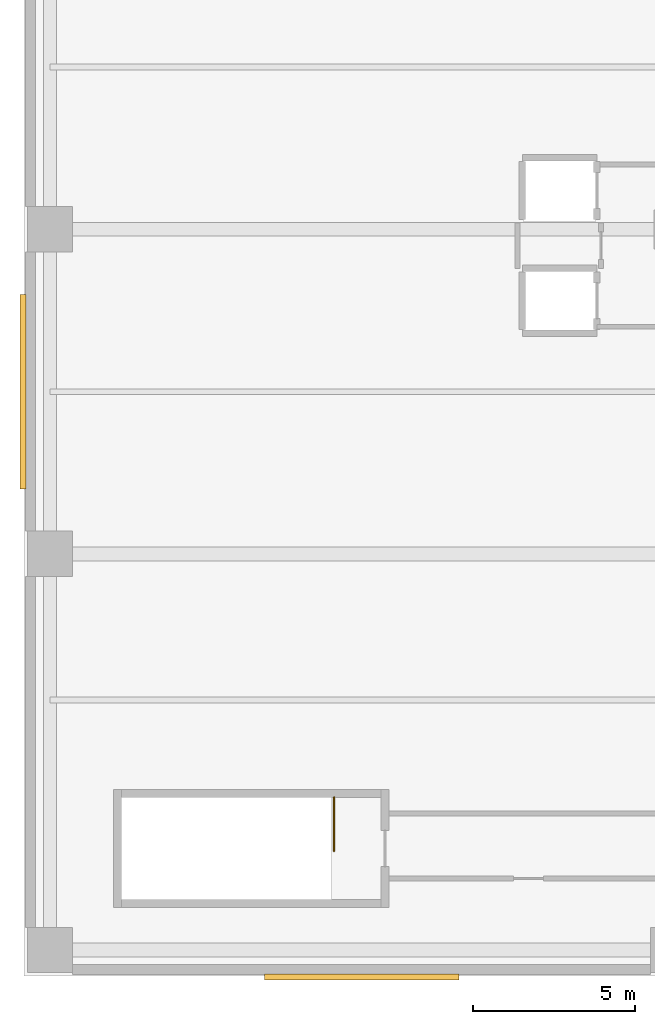
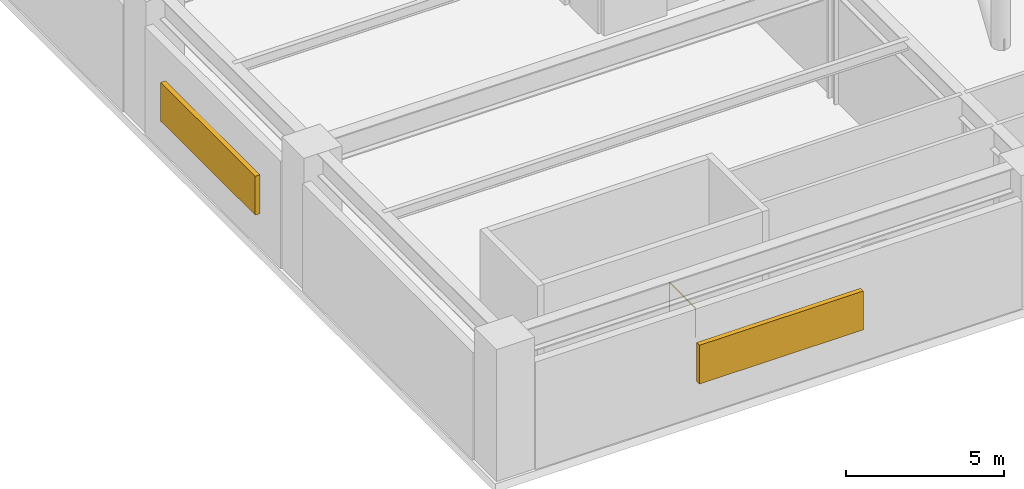
# One storey, part 10 of 12: 2 shading devices, 1 railing.
"""IFC4 building model written with IfcOpenShell, lengths in metres."""

from ifc_helpers import new_model, si_unit, direction, frame, origin, origin_2d, place, context, subcontext, project, spatial, rectangle, circle, extrude, material, layer, layer_set, type_object, element, save


model = new_model("IFC4")

# Units and contexts
model_context = context("Model", 3, precision=1e-05, world=origin(), true_north=direction((0.0, 1.0)))
body_context = subcontext(model_context, "Body", "Model", "MODEL_VIEW")
ifc_project = project(units=[si_unit("LENGTHUNIT", "METRE"), si_unit("AREAUNIT", "SQUARE_METRE"), si_unit("VOLUMEUNIT", "CUBIC_METRE"), si_unit("PLANEANGLEUNIT", "RADIAN"), si_unit("MASSUNIT", "GRAM", prefix="KILO")], contexts=[model_context])

# Site, building, storey
site_placement = place(None, origin())
site = spatial("IfcSite", under=ifc_project, at=site_placement, CompositionType="ELEMENT")
building_placement = place(site_placement, origin())
building = spatial("IfcBuilding", under=site, at=building_placement, Name="Soratama Intermodal Tower", CompositionType="ELEMENT")
storey_placement = place(building_placement, frame((0.0, 0.0, 25.199951171875)))
storey = spatial("IfcBuildingStorey", under=building, at=storey_placement, Name="L05", CompositionType="ELEMENT", Elevation=25.199951171875)

# Railing
ifc_material_1 = material(Name="Painted steel stair guardrail", Category="steel")
railing_type = type_object("IfcRailingType", Name="RL-STAIR-GUARD", PredefinedType="GUARDRAIL", material=ifc_material_1)
railing_placement = place(storey_placement, frame((9.550048828125, 7.5, 0.0)))
element("IfcRailing", 1, at=railing_placement, inside=storey, type_object=railing_type, Name="L05 ST-3 top well guard 1", PredefinedType="GUARDRAIL", context=body_context, shape_type="SweptSolid", body=[
    extrude(circle(Radius=0.02392578125, at=origin_2d()), frame((0.0, 0.0, 1.1259765625), z_axis=(0.0, -1.0, 0.0), x_axis=(1.0, 0.0, 0.0)), (0.0, 0.0, 1.0), 1.64990234375),
    extrude(circle(Radius=0.02099609375, at=origin_2d()), origin(), (0.0, 0.0, 1.0), 1.101806640625),
    extrude(circle(Radius=0.02099609375, at=origin_2d()), frame((0.0, -1.64990234375, 0.0)), (0.0, 0.0, 1.0), 1.101806640625),
])

# Shading devices
ifc_material_2 = material(Name="Anodised aluminium weather louvre", Category="aluminium")
ifc_layer = layer(ifc_material_2, 0.1201171875)
ifc_layer_set = layer_set([ifc_layer], Name="Anodised aluminium weather louvre")
shading_device_type = type_object("IfcShadingDeviceType", Name="SH-LOUVRE-PLANT", PredefinedType="JALOUSIE", material=ifc_layer_set)
for number, where, z_axis, x_axis, name in (
    (2, (10.39990234375, 1.965087890625, 1.35009765625), (0.0, 0.0, 1.0), (1.0, 0.0, 0.0), "L05 Plant Louvre S1"),
    (3, (-0.034912109375, 20.0, 1.35009765625), (0.0, 0.0, 1.0), (0.0, 1.0, 0.0), "L05 Plant Louvre W2"),
):
    element("IfcShadingDevice", number, at=place(storey_placement, frame(where, z_axis=z_axis, x_axis=x_axis)), inside=storey, type_object=shading_device_type, Name=name, PredefinedType="JALOUSIE", context=body_context, shape_type="SweptSolid", body=[
        extrude(rectangle(XDim=6.0, YDim=0.179931640625, at=origin_2d()), origin(), (0.0, 0.0, 1.0), 1.5),
    ])

save(model, "model.ifc")
